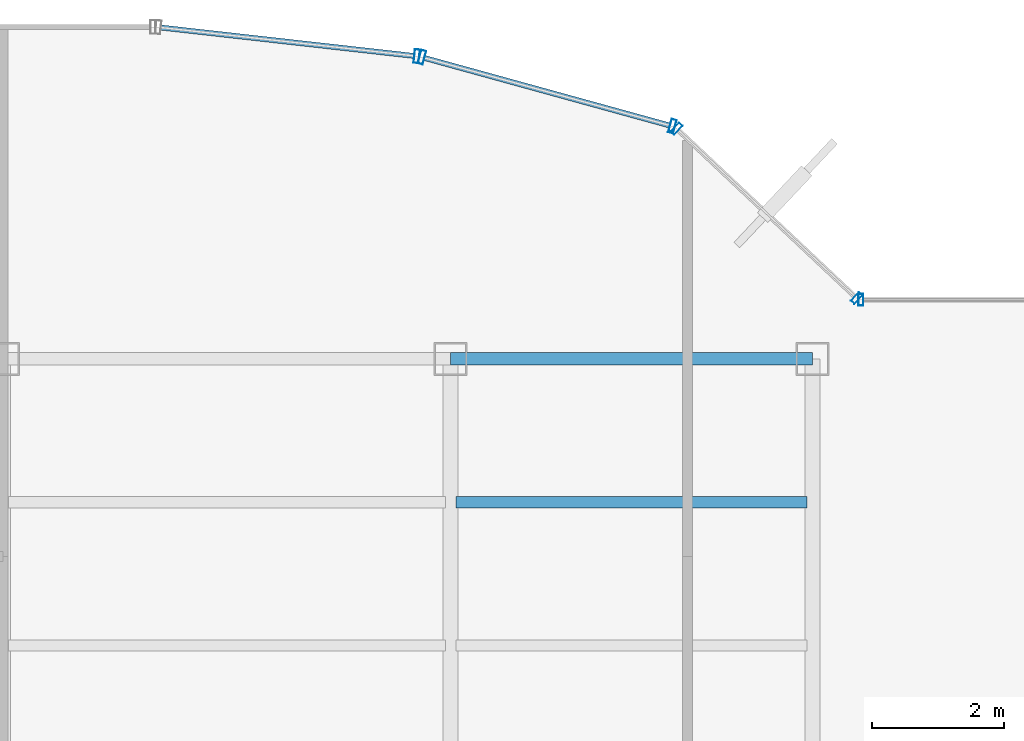
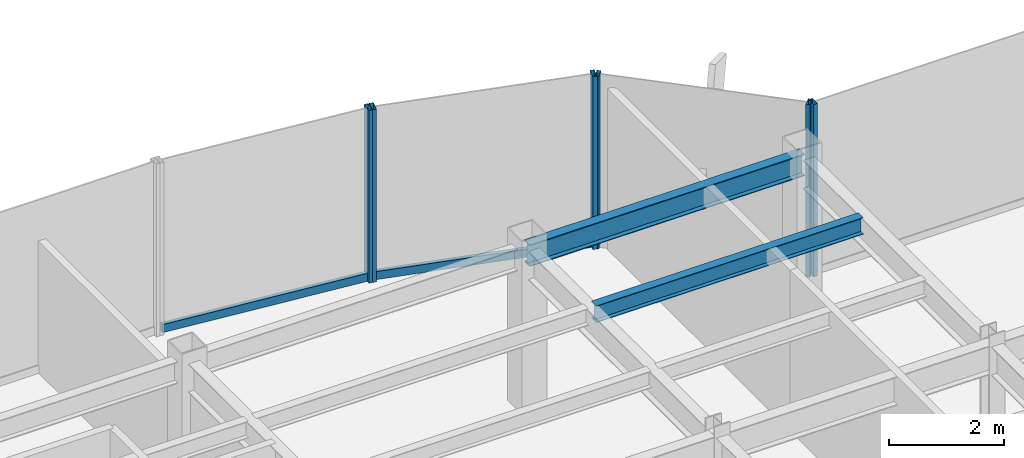
# One storey, part 14 of 22: 8 members, 2 beams, 4 elements without a shape of their own.
"""IFC4 building model written with IfcOpenShell, lengths in metres."""

from ifc_helpers import new_model, si_unit, derived_unit, direction, frame, origin, origin_2d, place, context, subcontext, project, spatial, hollow_rectangle, i_section, extrude, source, transform, mapped, material, material_profile, profile_set, type_object, element, aggregate, save


model = new_model("IFC4")

# Units and contexts
model_context = context("Model", 3, precision=1e-05, world=origin(), true_north=direction((0.0, 1.0)))
body_context = subcontext(model_context, "Body", "Model", "MODEL_VIEW")
ifc_project = project(units=[si_unit("LENGTHUNIT", "METRE"), si_unit("AREAUNIT", "SQUARE_METRE"), si_unit("VOLUMEUNIT", "CUBIC_METRE"), si_unit("PLANEANGLEUNIT", "RADIAN"), si_unit("MASSUNIT", "GRAM", prefix="KILO"), derived_unit("THERMALTRANSMITTANCEUNIT", [(si_unit("POWERUNIT", "WATT"), 1), (si_unit("LENGTHUNIT", "METRE"), -2), (si_unit("THERMODYNAMICTEMPERATUREUNIT", "KELVIN"), -1)])], contexts=[model_context])

# Site, building, storey
site_placement = place(None, origin())
site = spatial("IfcSite", under=ifc_project, at=site_placement, CompositionType="ELEMENT")
building_placement = place(site_placement, origin())
building = spatial("IfcBuilding", under=site, at=building_placement, Name="Skarnbrae Concourse Arena and Tower", CompositionType="ELEMENT")
storey_placement = place(building_placement, frame((0.0, 0.0, 206.85009765625)))
storey = spatial("IfcBuildingStorey", under=building, at=storey_placement, Name="L53", CompositionType="ELEMENT", Elevation=206.85009765625)

# Beams
ifc_material_1 = material(Name="Steel CSA G40.21 350W", Category="steel")
ifc_material_profile_1 = material_profile(ifc_material_1, i_section(OverallWidth=0.19091796875, OverallDepth=0.4599609375, WebThickness=0.010009765625, FlangeThickness=0.01611328125, at=origin_2d()), Name="W460X82")
ifc_profile_set_1 = profile_set([ifc_material_profile_1], Name="Steel CSA G40.21 350W")
beam_type_1 = type_object("IfcBeamType", Name="BM-SPAN-W460X82", PredefinedType="SPANDREL", material=ifc_profile_set_1)
shared_shape_1 = source(origin(), body_context, "Body", "SweptSolid", [
    extrude(i_section(OverallWidth=0.19091796875, OverallDepth=0.4599609375, WebThickness=0.010009765625, FlangeThickness=0.01611328125, at=origin_2d()), origin(), (0.0, 0.0, 1.0), 5.5),
])
beam_1_placement = place(storey_placement, frame((28.0, 34.39990234375, 3.169921875), z_axis=(1.0, 0.0, 0.0), x_axis=(0.0, 1.0, 0.0)))
element("IfcBeam", 1, at=beam_1_placement, inside=storey, type_object=beam_type_1, Name="L53 Perimeter spandrel Y34.4-4", PredefinedType="SPANDREL", context=body_context, shape_type="MappedRepresentation", body=[
    mapped(shared_shape_1, transform((0.0, 0.0, 0.0))),
])
ifc_material_profile_2 = material_profile(ifc_material_1, i_section(OverallWidth=0.1708984375, OverallDepth=0.35498046875, WebThickness=0.007080078125, FlangeThickness=0.01171875, at=origin_2d()), Name="W360X51")
ifc_profile_set_2 = profile_set([ifc_material_profile_2], Name="Steel CSA G40.21 350W")
beam_type_2 = type_object("IfcBeamType", Name="BM-JOIST-W360X51", PredefinedType="JOIST", material=ifc_profile_set_2)
shared_shape_2 = source(origin(), body_context, "Body", "SweptSolid", [
    extrude(i_section(OverallWidth=0.1708984375, OverallDepth=0.35498046875, WebThickness=0.007080078125, FlangeThickness=0.01171875, at=origin_2d()), origin(), (0.0, 0.0, 1.0), 5.33984375),
])
beam_2_placement = place(storey_placement, frame((28.080078125, 32.221923828125, 3.222412109375), z_axis=(1.0, 0.0, 0.0), x_axis=(0.0, 1.0, 0.0)))
element("IfcBeam", 2, at=beam_2_placement, inside=storey, type_object=beam_type_2, Name="L53 Secondary floor joist 3.2.4", PredefinedType="JOIST", context=body_context, shape_type="MappedRepresentation", body=[
    mapped(shared_shape_2, transform((0.0, 0.0, 0.0))),
])

# Curtain wall, members
ifc_material_2 = material(Name="Bronze anodised aluminium 6063-T6", Category="aluminium")
curtain_wall_type_1 = type_object("IfcCurtainWallType", Name="CW-SYS-03-PORTAL", PredefinedType="USERDEFINED", material=ifc_material_2)
curtain_wall_1_placement = place(storey_placement, origin())
curtain_wall_1 = element("IfcCurtainWall", 3, at=curtain_wall_1_placement, inside=storey, type_object=curtain_wall_type_1, Name="L53 Unitised curtain wall CW-L53-E09", ObjectType="UNITISED CURTAIN WALL", PredefinedType="USERDEFINED")
ifc_material_profile_3 = material_profile(ifc_material_2, hollow_rectangle(XDim=0.080078125, YDim=0.2099609375, WallThickness=0.00439453125, at=origin_2d()), Name="ALU-MULL-80X210")
ifc_profile_set_3 = profile_set([ifc_material_profile_3], Name="Bronze anodised aluminium 6063-T6")
member_type_1 = type_object("IfcMemberType", Name="CWM-CW-03", PredefinedType="MULLION", material=ifc_profile_set_3)
shared_shape_3 = source(origin(), body_context, "Body", "SweptSolid", [
    extrude(hollow_rectangle(XDim=0.080078125, YDim=0.2099609375, WallThickness=0.00439453125, at=origin_2d()), origin(), (0.0, 0.0, 1.0), 3.64990234375),
])
member_1_placement = place(storey_placement, frame((31.37109375, 37.937255859375, 0.0), z_axis=(0.0, 0.0, 1.0), x_axis=(-0.964057388766, 0.265694093207, 0.0)))
member_1 = element("IfcMember", 4, at=member_1_placement, type_object=member_type_1, Name="CW-L53-E09 Mullion 1", PredefinedType="MULLION", context=body_context, shape_type="MappedRepresentation", body=[
    mapped(shared_shape_3, transform((0.0, 0.0, 0.0))),
])
member_2_placement = place(storey_placement, frame((27.564453125, 38.986572265625, 0.0), z_axis=(0.0, 0.0, 1.0), x_axis=(-0.964057388766, 0.265694093207, 0.0)))
member_2 = element("IfcMember", 5, at=member_2_placement, type_object=member_type_1, Name="CW-L53-E09 Mullion 2", PredefinedType="MULLION", context=body_context, shape_type="MappedRepresentation", body=[
    mapped(shared_shape_3, transform((0.0, 0.0, 0.0))),
])

# Curtain wall, member
curtain_wall_2_placement = place(storey_placement, origin())
curtain_wall_2 = element("IfcCurtainWall", 6, at=curtain_wall_2_placement, inside=storey, type_object=curtain_wall_type_1, Name="L53 Unitised curtain wall CW-L53-E10", ObjectType="UNITISED CURTAIN WALL", PredefinedType="USERDEFINED")
member_3_placement = place(storey_placement, frame((27.486083984375, 39.001708984375, 0.0), z_axis=(0.0, 0.0, 1.0), x_axis=(-0.993768891873, 0.111460259941, 0.0)))
member_3 = element("IfcMember", 7, at=member_3_placement, type_object=member_type_1, Name="CW-L53-E10 Mullion 1", PredefinedType="MULLION", context=body_context, shape_type="MappedRepresentation", body=[
    mapped(shared_shape_3, transform((0.0, 0.0, 0.0))),
])

curtain_wall_type_2 = type_object("IfcCurtainWallType", Name="CW-SYS-05-HIGHZONE", PredefinedType="USERDEFINED", material=ifc_material_2)
curtain_wall_3_placement = place(storey_placement, origin())
curtain_wall_3 = element("IfcCurtainWall", 8, at=curtain_wall_3_placement, inside=storey, type_object=curtain_wall_type_2, Name="L53 Unitised curtain wall CW-L53-E07", ObjectType="UNITISED CURTAIN WALL", PredefinedType="USERDEFINED")
ifc_material_profile_4 = material_profile(ifc_material_2, hollow_rectangle(XDim=0.074951171875, YDim=0.179931640625, WallThickness=0.00390625, at=origin_2d()), Name="ALU-MULL-75X180")
ifc_profile_set_4 = profile_set([ifc_material_profile_4], Name="Bronze anodised aluminium 6063-T6")
member_type_2 = type_object("IfcMemberType", Name="CWM-CW-05", PredefinedType="MULLION", material=ifc_profile_set_4)
shared_shape_4 = source(origin(), body_context, "Body", "SweptSolid", [
    extrude(hollow_rectangle(XDim=0.074951171875, YDim=0.179931640625, WallThickness=0.00390625, at=origin_2d()), origin(), (0.0, 0.0, 1.0), 3.64990234375),
])
member_4_placement = place(storey_placement, frame((34.237548828125, 35.300048828125, 0.0), z_axis=(0.0, 0.0, 1.0), x_axis=(-1.0, 0.0, 0.0)))
member_4 = element("IfcMember", 9, at=member_4_placement, type_object=member_type_2, Name="CW-L53-E07 Mullion 2", PredefinedType="MULLION", context=body_context, shape_type="MappedRepresentation", body=[
    mapped(shared_shape_4, transform((0.0, 0.0, 0.0))),
])
aggregate(curtain_wall_3, [member_4])

# Curtain wall, members
curtain_wall_4_placement = place(storey_placement, origin())
curtain_wall_4 = element("IfcCurtainWall", 10, at=curtain_wall_4_placement, inside=storey, type_object=curtain_wall_type_2, Name="L53 Unitised curtain wall CW-L53-E08", ObjectType="UNITISED CURTAIN WALL", PredefinedType="USERDEFINED")
member_5_placement = place(storey_placement, frame((34.172607421875, 35.32568359375, 0.0), z_axis=(0.0, 0.0, 1.0), x_axis=(-0.728130555214, 0.685438468838, 0.0)))
member_5 = element("IfcMember", 11, at=member_5_placement, type_object=member_type_2, Name="CW-L53-E08 Mullion 1", PredefinedType="MULLION", context=body_context, shape_type="MappedRepresentation", body=[
    mapped(shared_shape_4, transform((0.0, 0.0, 0.0))),
])
member_6_placement = place(storey_placement, frame((31.43701171875, 37.90087890625, 0.0), z_axis=(0.0, 0.0, 1.0), x_axis=(-0.728130555214, 0.685438468838, 0.0)))
member_6 = element("IfcMember", 12, at=member_6_placement, type_object=member_type_2, Name="CW-L53-E08 Mullion 2", PredefinedType="MULLION", context=body_context, shape_type="MappedRepresentation", body=[
    mapped(shared_shape_4, transform((0.0, 0.0, 0.0))),
])
aggregate(curtain_wall_4, [member_5, member_6])

# Member
ifc_material_profile_5 = material_profile(ifc_material_2, hollow_rectangle(XDim=0.080078125, YDim=0.169921875, WallThickness=0.00439453125, at=origin_2d()), Name="ALU-TRAN-80X170")
ifc_profile_set_5 = profile_set([ifc_material_profile_5], Name="Bronze anodised aluminium 6063-T6")
member_type_3 = type_object("IfcMemberType", Name="CWT-CW-03", PredefinedType="USERDEFINED", material=ifc_profile_set_5)
shared_shape_5 = source(origin(), body_context, "Body", "SweptSolid", [
    extrude(hollow_rectangle(XDim=0.080078125, YDim=0.169921875, WallThickness=0.00439453125, at=origin_2d()), origin(), (0.0, 0.0, 1.0), 3.86865234375),
])
member_7_placement = place(storey_placement, frame((31.33251953125, 37.947998046875, 0.0849609375), z_axis=(-0.964062872218, 0.265674195983, 0.0), x_axis=(-0.265674195983, -0.964062872218, 0.0)))
member_7 = element("IfcMember", 13, at=member_7_placement, type_object=member_type_3, Name="CW-L53-E09 Transom 1", ObjectType="TRANSOM", PredefinedType="USERDEFINED", context=body_context, shape_type="MappedRepresentation", body=[
    mapped(shared_shape_5, transform((0.0, 0.0, 0.0))),
])

aggregate(curtain_wall_1, [member_1, member_2, member_7])

shared_shape_6 = source(origin(), body_context, "Body", "SweptSolid", [
    extrude(hollow_rectangle(XDim=0.080078125, YDim=0.169921875, WallThickness=0.00439453125, at=origin_2d()), origin(), (0.0, 0.0, 1.0), 3.873779296875),
])
member_8_placement = place(storey_placement, frame((27.4462890625, 39.006103515625, 0.0849609375), z_axis=(-0.993772558096, 0.111427567397, 0.0), x_axis=(-0.111427567397, -0.993772558096, 0.0)))
member_8 = element("IfcMember", 14, at=member_8_placement, type_object=member_type_3, Name="CW-L53-E10 Transom 1", ObjectType="TRANSOM", PredefinedType="USERDEFINED", context=body_context, shape_type="MappedRepresentation", body=[
    mapped(shared_shape_6, transform((0.0, 0.0, 0.0))),
])

aggregate(curtain_wall_2, [member_3, member_8])

save(model, "model.ifc")
